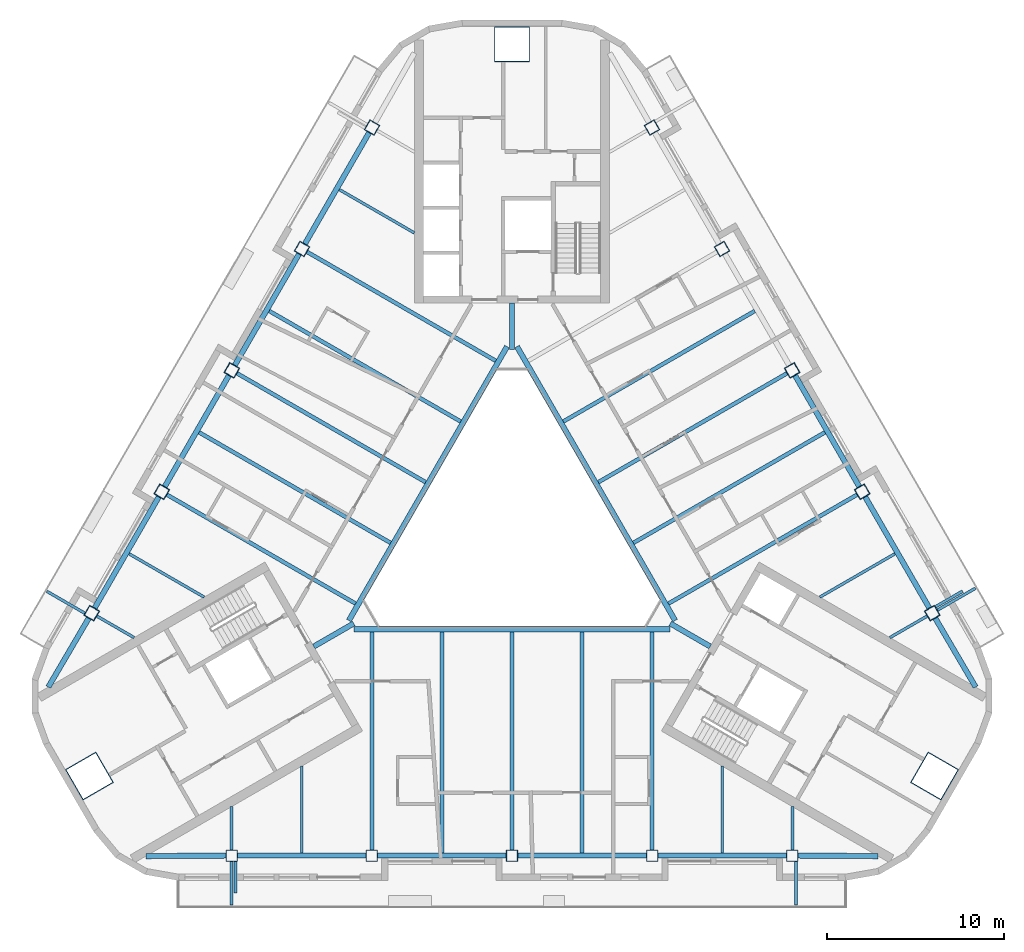
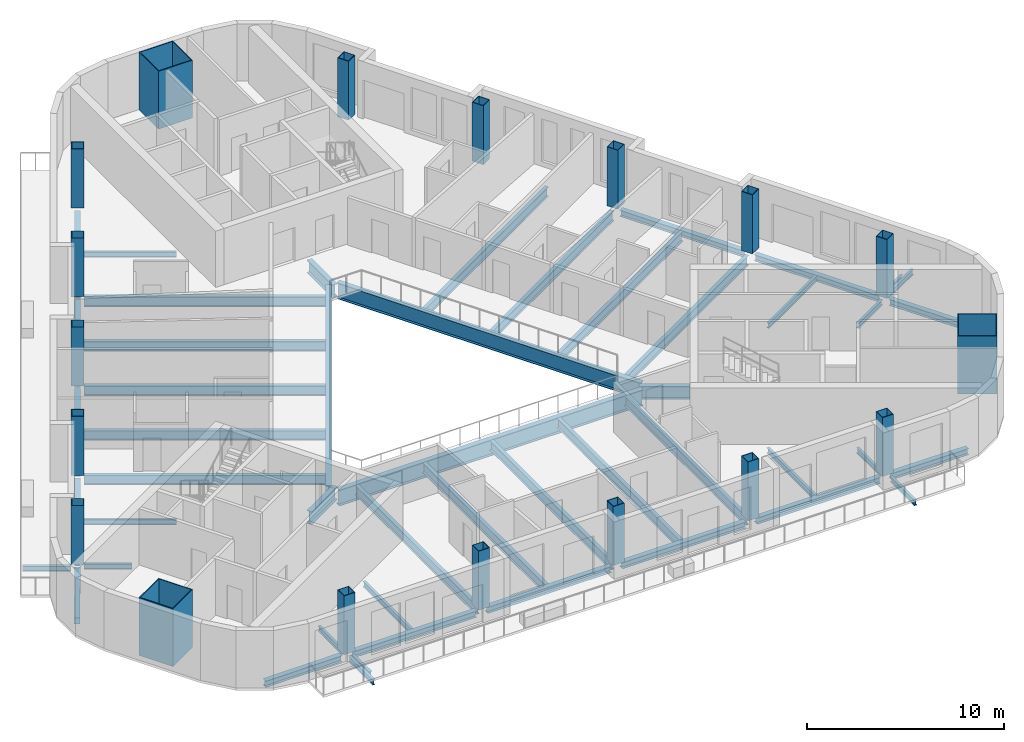
# One storey, part 1 of 14: 49 beams, 18 columns.
"""IFC4 building model written with IfcOpenShell, lengths in metres."""

from ifc_helpers import new_model, si_unit, direction, frame, origin, origin_2d, place, context, subcontext, project, spatial, rectangle, hollow_rectangle, i_section, extrude, boolean, halfspace, material, material_profile, profile_set, type_object, element, save


model = new_model("IFC4")

# Units and contexts
model_context = context("Model", 3, precision=1e-05, world=origin(), true_north=direction((0.0, 1.0)))
body_context = subcontext(model_context, "Body", "Model", "MODEL_VIEW")
ifc_project = project(units=[si_unit("LENGTHUNIT", "METRE"), si_unit("AREAUNIT", "SQUARE_METRE"), si_unit("VOLUMEUNIT", "CUBIC_METRE"), si_unit("PLANEANGLEUNIT", "RADIAN"), si_unit("MASSUNIT", "GRAM", prefix="KILO")], contexts=[model_context])

# Site, building, storey
site_placement = place(None, origin())
site = spatial("IfcSite", under=ifc_project, at=site_placement, CompositionType="ELEMENT")
building_placement = place(site_placement, origin())
building = spatial("IfcBuilding", under=site, at=building_placement, Name="Apuvela Tower Hotel", CompositionType="ELEMENT")
storey_placement = place(building_placement, frame((0.0, 0.0, 250.39990234375)))
storey = spatial("IfcBuildingStorey", under=building, at=storey_placement, Name="L61", CompositionType="ELEMENT", Elevation=250.39990234375)

# Columns
ifc_material_1 = material(Name="Steel S460", Category="steel")
ifc_material_profile_1 = material_profile(ifc_material_1, hollow_rectangle(XDim=2.0, YDim=2.0, WallThickness=0.050048828125, at=origin_2d()), Name="BOX 2000x2000x50")
ifc_material_2 = material(Name="Concrete C80/95", Category="concrete")
ifc_material_profile_2 = material_profile(ifc_material_2, rectangle(XDim=1.89990234375, YDim=1.89990234375, at=origin_2d()), Name="Concrete C80/95 infill")
ifc_profile_set_1 = profile_set([ifc_material_profile_1, ifc_material_profile_2], Name="Steel S460")
column_type_1 = type_object("IfcColumnType", Name="STR-MC mega column BOX 2000x2000x50", PredefinedType="COLUMN", material=ifc_profile_set_1)
for number, where, z_axis, x_axis, name in (
    (1, (0.0, 27.5, 0.0), (0.0, 0.0, 1.0), (1.0, 0.0, 0.0), "Mega column MC4 N"),
    (2, (-23.815673828125, -13.75, 0.0), (0.0, 0.0, 1.0), (-0.5, 0.866025403784, 0.0), "Mega column MC4 SW"),
    (3, (23.815673828125, -13.75, 0.0), (0.0, 0.0, 1.0), (0.5, 0.866025403784, 0.0), "Mega column MC4 SE"),
):
    element("IfcColumn", number, at=place(storey_placement, frame(where, z_axis=z_axis, x_axis=x_axis)), inside=storey, type_object=column_type_1, Name=name, PredefinedType="COLUMN", context=body_context, shape_type="SweptSolid", body=[
        boolean("DIFFERENCE", extrude(hollow_rectangle(XDim=2.0, YDim=2.0, WallThickness=0.050048828125, at=origin_2d()), origin(), (0.0, 0.0, 1.0), 3.7001953125), halfspace(frame((0.0, 0.0, 3.588134765625), z_axis=(0.0, 0.0, 1.0), x_axis=(1.0, 0.0, 0.0)), False)),
    ])
ifc_material_profile_3 = material_profile(ifc_material_1, hollow_rectangle(XDim=0.64990234375, YDim=0.64990234375, WallThickness=0.030029296875, at=origin_2d()), Name="BOX 650x650x30")
ifc_material_profile_4 = material_profile(ifc_material_2, rectangle(XDim=0.590087890625, YDim=0.590087890625, at=origin_2d()), Name="Concrete C80/95 infill")
ifc_profile_set_2 = profile_set([ifc_material_profile_3, ifc_material_profile_4], Name="Steel S460")
column_type_2 = type_object("IfcColumnType", Name="STR-PC perimeter column BOX 650x650x30", PredefinedType="COLUMN", material=ifc_profile_set_2)
column_1_placement = place(storey_placement, frame((-15.800048828125, -18.22998046875, 0.0), z_axis=(0.0, 0.0, 1.0), x_axis=(-1.0, 0.0, 0.0)))
element("IfcColumn", 4, at=column_1_placement, inside=storey, type_object=column_type_2, Name="Perimeter column C6 S1", PredefinedType="COLUMN", context=body_context, shape_type="SweptSolid", body=[
    boolean("DIFFERENCE", extrude(hollow_rectangle(XDim=0.64990234375, YDim=0.64990234375, WallThickness=0.030029296875, at=origin_2d()), origin(), (0.0, 0.0, 1.0), 3.7001953125), halfspace(frame((0.0, 0.0, 3.6533203125), z_axis=(0.0, 0.0, 1.0), x_axis=(1.0, 0.0, 0.0)), False)),
])
column_2_placement = place(storey_placement, frame((-7.89990234375, -18.22998046875, 0.0), z_axis=(0.0, 0.0, 1.0), x_axis=(-1.0, 0.0, 0.0)))
element("IfcColumn", 5, at=column_2_placement, inside=storey, type_object=column_type_2, Name="Perimeter column C6 S2", PredefinedType="COLUMN", context=body_context, shape_type="SweptSolid", body=[
    boolean("DIFFERENCE", extrude(hollow_rectangle(XDim=0.64990234375, YDim=0.64990234375, WallThickness=0.030029296875, at=origin_2d()), origin(), (0.0, 0.0, 1.0), 3.7001953125), halfspace(frame((0.0, 0.0, 3.660400390625), z_axis=(0.0, 0.0, 1.0), x_axis=(1.0, 0.0, 0.0)), False)),
])
column_3_placement = place(storey_placement, frame((0.0, -18.22998046875, 0.0), z_axis=(0.0, 0.0, 1.0), x_axis=(-1.0, 0.0, 0.0)))
element("IfcColumn", 6, at=column_3_placement, inside=storey, type_object=column_type_2, Name="Perimeter column C6 S3", PredefinedType="COLUMN", context=body_context, shape_type="SweptSolid", body=[
    boolean("DIFFERENCE", extrude(hollow_rectangle(XDim=0.64990234375, YDim=0.64990234375, WallThickness=0.030029296875, at=origin_2d()), origin(), (0.0, 0.0, 1.0), 3.7001953125), halfspace(frame((0.0, 0.0, 3.6630859375), z_axis=(0.0, 0.0, 1.0), x_axis=(1.0, 0.0, 0.0)), False)),
])
column_4_placement = place(storey_placement, frame((7.89990234375, -18.22998046875, 0.0), z_axis=(0.0, 0.0, 1.0), x_axis=(-1.0, 0.0, 0.0)))
element("IfcColumn", 7, at=column_4_placement, inside=storey, type_object=column_type_2, Name="Perimeter column C6 S4", PredefinedType="COLUMN", context=body_context, shape_type="SweptSolid", body=[
    boolean("DIFFERENCE", extrude(hollow_rectangle(XDim=0.64990234375, YDim=0.64990234375, WallThickness=0.030029296875, at=origin_2d()), origin(), (0.0, 0.0, 1.0), 3.7001953125), halfspace(frame((0.0, 0.0, 3.660400390625), z_axis=(0.0, 0.0, 1.0), x_axis=(1.0, 0.0, 0.0)), False)),
])
for number, where, z_axis, x_axis, name in (
    (8, (15.800048828125, -18.22998046875, 0.0), (0.0, 0.0, 1.0), (-1.0, 0.0, 0.0), "Perimeter column C6 S5"),
    (9, (23.6875, -4.568115234375, 0.0), (0.0, 0.0, 1.0), (-0.5, 0.866025403784, 0.0), "Perimeter column C6 NE1"),
):
    element("IfcColumn", number, at=place(storey_placement, frame(where, z_axis=z_axis, x_axis=x_axis)), inside=storey, type_object=column_type_2, Name=name, PredefinedType="COLUMN", context=body_context, shape_type="SweptSolid", body=[
        boolean("DIFFERENCE", extrude(hollow_rectangle(XDim=0.64990234375, YDim=0.64990234375, WallThickness=0.030029296875, at=origin_2d()), origin(), (0.0, 0.0, 1.0), 3.7001953125), halfspace(frame((0.0, 0.0, 3.6533203125), z_axis=(0.0, 0.0, 1.0), x_axis=(1.0, 0.0, 0.0)), False)),
    ])
column_5_placement = place(storey_placement, frame((19.737548828125, 2.2734375, 0.0), z_axis=(0.0, 0.0, 1.0), x_axis=(-0.5, 0.866025403784, 0.0)))
element("IfcColumn", 10, at=column_5_placement, inside=storey, type_object=column_type_2, Name="Perimeter column C6 NE2", PredefinedType="COLUMN", context=body_context, shape_type="SweptSolid", body=[
    boolean("DIFFERENCE", extrude(hollow_rectangle(XDim=0.64990234375, YDim=0.64990234375, WallThickness=0.030029296875, at=origin_2d()), origin(), (0.0, 0.0, 1.0), 3.7001953125), halfspace(frame((0.0, 0.0, 3.660400390625), z_axis=(0.0, 0.0, 1.0), x_axis=(1.0, 0.0, 0.0)), False)),
])
column_6_placement = place(storey_placement, frame((15.78759765625, 9.114990234375, 0.0), z_axis=(0.0, 0.0, 1.0), x_axis=(-0.5, 0.866025403784, 0.0)))
element("IfcColumn", 11, at=column_6_placement, inside=storey, type_object=column_type_2, Name="Perimeter column C6 NE3", PredefinedType="COLUMN", context=body_context, shape_type="SweptSolid", body=[
    boolean("DIFFERENCE", extrude(hollow_rectangle(XDim=0.64990234375, YDim=0.64990234375, WallThickness=0.030029296875, at=origin_2d()), origin(), (0.0, 0.0, 1.0), 3.7001953125), halfspace(frame((0.0, 0.0, 3.6630859375), z_axis=(0.0, 0.0, 1.0), x_axis=(1.0, 0.0, 0.0)), False)),
])
column_7_placement = place(storey_placement, frame((11.837646484375, 15.95654296875, 0.0), z_axis=(0.0, 0.0, 1.0), x_axis=(-0.5, 0.866025403784, 0.0)))
element("IfcColumn", 12, at=column_7_placement, inside=storey, type_object=column_type_2, Name="Perimeter column C6 NE4", PredefinedType="COLUMN", context=body_context, shape_type="SweptSolid", body=[
    boolean("DIFFERENCE", extrude(hollow_rectangle(XDim=0.64990234375, YDim=0.64990234375, WallThickness=0.030029296875, at=origin_2d()), origin(), (0.0, 0.0, 1.0), 3.7001953125), halfspace(frame((0.0, 0.0, 3.660400390625), z_axis=(0.0, 0.0, 1.0), x_axis=(1.0, 0.0, 0.0)), False)),
])
for number, where, z_axis, x_axis, name in (
    (13, (7.8876953125, 22.798095703125, 0.0), (0.0, 0.0, 1.0), (-0.5, 0.866025403784, 0.0), "Perimeter column C6 NE5"),
    (14, (-7.8876953125, 22.798095703125, 0.0), (0.0, 0.0, 1.0), (0.5, 0.866025403784, 0.0), "Perimeter column C6 NW1"),
):
    element("IfcColumn", number, at=place(storey_placement, frame(where, z_axis=z_axis, x_axis=x_axis)), inside=storey, type_object=column_type_2, Name=name, PredefinedType="COLUMN", context=body_context, shape_type="SweptSolid", body=[
        boolean("DIFFERENCE", extrude(hollow_rectangle(XDim=0.64990234375, YDim=0.64990234375, WallThickness=0.030029296875, at=origin_2d()), origin(), (0.0, 0.0, 1.0), 3.7001953125), halfspace(frame((0.0, 0.0, 3.6533203125), z_axis=(0.0, 0.0, 1.0), x_axis=(1.0, 0.0, 0.0)), False)),
    ])
column_8_placement = place(storey_placement, frame((-11.837646484375, 15.95654296875, 0.0), z_axis=(0.0, 0.0, 1.0), x_axis=(0.5, 0.866025403784, 0.0)))
element("IfcColumn", 15, at=column_8_placement, inside=storey, type_object=column_type_2, Name="Perimeter column C6 NW2", PredefinedType="COLUMN", context=body_context, shape_type="SweptSolid", body=[
    boolean("DIFFERENCE", extrude(hollow_rectangle(XDim=0.64990234375, YDim=0.64990234375, WallThickness=0.030029296875, at=origin_2d()), origin(), (0.0, 0.0, 1.0), 3.7001953125), halfspace(frame((0.0, 0.0, 3.660400390625), z_axis=(0.0, 0.0, 1.0), x_axis=(1.0, 0.0, 0.0)), False)),
])
column_9_placement = place(storey_placement, frame((-15.78759765625, 9.114990234375, 0.0), z_axis=(0.0, 0.0, 1.0), x_axis=(0.5, 0.866025403784, 0.0)))
element("IfcColumn", 16, at=column_9_placement, inside=storey, type_object=column_type_2, Name="Perimeter column C6 NW3", PredefinedType="COLUMN", context=body_context, shape_type="SweptSolid", body=[
    boolean("DIFFERENCE", extrude(hollow_rectangle(XDim=0.64990234375, YDim=0.64990234375, WallThickness=0.030029296875, at=origin_2d()), origin(), (0.0, 0.0, 1.0), 3.7001953125), halfspace(frame((0.0, 0.0, 3.6630859375), z_axis=(0.0, 0.0, 1.0), x_axis=(1.0, 0.0, 0.0)), False)),
])
column_10_placement = place(storey_placement, frame((-19.737548828125, 2.2734375, 0.0), z_axis=(0.0, 0.0, 1.0), x_axis=(0.5, 0.866025403784, 0.0)))
element("IfcColumn", 17, at=column_10_placement, inside=storey, type_object=column_type_2, Name="Perimeter column C6 NW4", PredefinedType="COLUMN", context=body_context, shape_type="SweptSolid", body=[
    boolean("DIFFERENCE", extrude(hollow_rectangle(XDim=0.64990234375, YDim=0.64990234375, WallThickness=0.030029296875, at=origin_2d()), origin(), (0.0, 0.0, 1.0), 3.7001953125), halfspace(frame((0.0, 0.0, 3.660400390625), z_axis=(0.0, 0.0, 1.0), x_axis=(1.0, 0.0, 0.0)), False)),
])
column_11_placement = place(storey_placement, frame((-23.6875, -4.568115234375, 0.0), z_axis=(0.0, 0.0, 1.0), x_axis=(0.5, 0.866025403784, 0.0)))
element("IfcColumn", 18, at=column_11_placement, inside=storey, type_object=column_type_2, Name="Perimeter column C6 NW5", PredefinedType="COLUMN", context=body_context, shape_type="SweptSolid", body=[
    boolean("DIFFERENCE", extrude(hollow_rectangle(XDim=0.64990234375, YDim=0.64990234375, WallThickness=0.030029296875, at=origin_2d()), origin(), (0.0, 0.0, 1.0), 3.7001953125), halfspace(frame((0.0, 0.0, 3.6533203125), z_axis=(0.0, 0.0, 1.0), x_axis=(1.0, 0.0, 0.0)), False)),
])

# Beams
ifc_material_3 = material(Name="Steel S355", Category="steel")
ifc_material_profile_5 = material_profile(ifc_material_3, i_section(OverallWidth=0.159912109375, OverallDepth=0.330078125, WebThickness=0.007568359375, FlangeThickness=0.011474609375, at=origin_2d()), Name="IPE 330")
ifc_profile_set_3 = profile_set([ifc_material_profile_5], Name="Steel S355")
beam_type_1 = type_object("IfcBeamType", Name="ENV-BALCONY-BEAM-IPE330", PredefinedType="BEAM", material=ifc_profile_set_3)
beam_1_placement = place(storey_placement, frame((-15.800048828125, -18.554931640625, -0.31494140625), z_axis=(0.0, -1.0, 0.0), x_axis=(1.0, 0.0, 0.0)))
element("IfcBeam", 19, at=beam_1_placement, inside=storey, type_object=beam_type_1, Name="Balcony cantilever beam S1 L61", PredefinedType="BEAM", context=body_context, shape_type="SweptSolid", body=[
    extrude(i_section(OverallWidth=0.159912109375, OverallDepth=0.330078125, WebThickness=0.007568359375, FlangeThickness=0.011474609375, at=origin_2d()), origin(), (0.0, 0.0, 1.0), 2.47509765625),
])
beam_2_placement = place(storey_placement, frame((-15.580078125, -18.554931640625, -0.31494140625), z_axis=(0.0, -1.0, 0.0), x_axis=(1.0, 0.0, 0.0)))
element("IfcBeam", 20, at=beam_2_placement, inside=storey, type_object=beam_type_1, Name="Balcony cantilever beam S2 L61", PredefinedType="BEAM", context=body_context, shape_type="SweptSolid", body=[
    extrude(i_section(OverallWidth=0.159912109375, OverallDepth=0.330078125, WebThickness=0.007568359375, FlangeThickness=0.011474609375, at=origin_2d()), origin(), (0.0, 0.0, 1.0), 1.775146484375),
])
for number, where, z_axis, x_axis, name in (
    (21, (16.0, -18.554931640625, -0.31494140625), (0.0, -1.0, 0.0), (1.0, 0.0, 0.0), "Balcony cantilever beam S3 L61"),
    (22, (23.968994140625, -4.40576171875, -0.31494140625), (0.866031185235, 0.4999899861, 0.0), (-0.4999899861, 0.866031185235, 0.0), "Balcony cantilever beam NE1 L61"),
):
    element("IfcBeam", number, at=place(storey_placement, frame(where, z_axis=z_axis, x_axis=x_axis)), inside=storey, type_object=beam_type_1, Name=name, PredefinedType="BEAM", context=body_context, shape_type="SweptSolid", body=[
        extrude(i_section(OverallWidth=0.159912109375, OverallDepth=0.330078125, WebThickness=0.007568359375, FlangeThickness=0.011474609375, at=origin_2d()), origin(), (0.0, 0.0, 1.0), 2.47509765625),
    ])
beam_3_placement = place(storey_placement, frame((23.859130859375, -4.215087890625, -0.31494140625), z_axis=(0.866025242659, 0.500000279077, 0.0), x_axis=(-0.500000279077, 0.866025242659, 0.0)))
element("IfcBeam", 23, at=beam_3_placement, inside=storey, type_object=beam_type_1, Name="Balcony cantilever beam NE2 L61", PredefinedType="BEAM", context=body_context, shape_type="SweptSolid", body=[
    extrude(i_section(OverallWidth=0.159912109375, OverallDepth=0.330078125, WebThickness=0.007568359375, FlangeThickness=0.011474609375, at=origin_2d()), origin(), (0.0, 0.0, 1.0), 1.77490234375),
])
beam_4_placement = place(storey_placement, frame((-24.069091796875, -4.578857421875, -0.31494140625), z_axis=(-0.866006523861, 0.500032699561, 0.0), x_axis=(-0.500032699561, -0.866006523861, 0.0)))
element("IfcBeam", 24, at=beam_4_placement, inside=storey, type_object=beam_type_1, Name="Balcony cantilever beam NW3 L61", PredefinedType="BEAM", context=body_context, shape_type="SweptSolid", body=[
    extrude(i_section(OverallWidth=0.159912109375, OverallDepth=0.330078125, WebThickness=0.007568359375, FlangeThickness=0.011474609375, at=origin_2d()), origin(), (0.0, 0.0, 1.0), 2.474853515625),
])
ifc_material_profile_6 = material_profile(ifc_material_3, i_section(OverallWidth=0.159912109375, OverallDepth=0.330078125, WebThickness=0.007568359375, FlangeThickness=0.011474609375, at=origin_2d()), Name="IPE 330")
ifc_profile_set_4 = profile_set([ifc_material_profile_6], Name="Steel S355")
beam_type_2 = type_object("IfcBeamType", Name="STR-B floor beam IPE 330", PredefinedType="BEAM", material=ifc_profile_set_4)
beam_5_placement = place(storey_placement, frame((23.40625, -4.730712890625, -0.31494140625), z_axis=(-0.866016743675, -0.500014999449, 0.0), x_axis=(0.500014999449, -0.866016743675, 0.0)))
element("IfcBeam", 25, at=beam_5_placement, inside=storey, type_object=beam_type_2, Name="Floor beam B1 NE1", PredefinedType="BEAM", context=body_context, shape_type="SweptSolid", body=[
    extrude(i_section(OverallWidth=0.159912109375, OverallDepth=0.330078125, WebThickness=0.007568359375, FlangeThickness=0.011474609375, at=origin_2d()), origin(), (0.0, 0.0, 1.0), 2.43212890625),
])
for number, where, z_axis, x_axis, name in (
    (26, (21.582763671875, -1.222412109375, -0.31494140625), (-0.866015056278, -0.500017921979, 0.0), (0.500017921979, -0.866015056278, 0.0), "Floor beam B1 NE2"),
    (27, (-9.732666015625, 19.302490234375, -0.31494140625), (0.866015056278, -0.500017921979, 0.0), (0.500017921979, 0.866015056278, 0.0), "Floor beam B1 NW2"),
    (28, (-21.582763671875, -1.222412109375, -0.31494140625), (0.866015056278, -0.500017921979, 0.0), (0.500017921979, 0.866015056278, 0.0), "Floor beam B1 NW8"),
):
    element("IfcBeam", number, at=place(storey_placement, frame(where, z_axis=z_axis, x_axis=x_axis)), inside=storey, type_object=beam_type_2, Name=name, PredefinedType="BEAM", context=body_context, shape_type="SweptSolid", body=[
        extrude(i_section(OverallWidth=0.159912109375, OverallDepth=0.330078125, WebThickness=0.007568359375, FlangeThickness=0.011474609375, at=origin_2d()), origin(), (0.0, 0.0, 1.0), 4.887451171875),
    ])
for number, where, z_axis, x_axis, name in (
    (29, (-23.40625, -4.730712890625, -0.31494140625), (0.866016743675, -0.500014999449, 0.0), (0.500014999449, 0.866016743675, 0.0), "Floor beam B1 NW9"),
    (30, (-15.800048828125, -17.905029296875, -0.31494140625), (0.0, 1.0, 0.0), (-1.0, 0.0, 0.0), "Floor beam B1 S1"),
):
    element("IfcBeam", number, at=place(storey_placement, frame(where, z_axis=z_axis, x_axis=x_axis)), inside=storey, type_object=beam_type_2, Name=name, PredefinedType="BEAM", context=body_context, shape_type="SweptSolid", body=[
        extrude(i_section(OverallWidth=0.159912109375, OverallDepth=0.330078125, WebThickness=0.007568359375, FlangeThickness=0.011474609375, at=origin_2d()), origin(), (0.0, 0.0, 1.0), 2.43212890625),
    ])
for number, where, z_axis, x_axis, name in (
    (31, (-11.85009765625, -18.080078125, -0.31494140625), (0.0, 1.0, 0.0), (-1.0, 0.0, 0.0), "Floor beam B1 S2"),
    (32, (11.85009765625, -18.080078125, -0.31494140625), (0.0, 1.0, 0.0), (-1.0, 0.0, 0.0), "Floor beam B1 S8"),
):
    element("IfcBeam", number, at=place(storey_placement, frame(where, z_axis=z_axis, x_axis=x_axis)), inside=storey, type_object=beam_type_2, Name=name, PredefinedType="BEAM", context=body_context, shape_type="SweptSolid", body=[
        extrude(i_section(OverallWidth=0.159912109375, OverallDepth=0.330078125, WebThickness=0.007568359375, FlangeThickness=0.011474609375, at=origin_2d()), origin(), (0.0, 0.0, 1.0), 4.8876953125),
    ])
beam_6_placement = place(storey_placement, frame((15.800048828125, -17.905029296875, -0.31494140625), z_axis=(0.0, 1.0, 0.0), x_axis=(-1.0, 0.0, 0.0)))
element("IfcBeam", 33, at=beam_6_placement, inside=storey, type_object=beam_type_2, Name="Floor beam B1 S9", PredefinedType="BEAM", context=body_context, shape_type="SweptSolid", body=[
    extrude(i_section(OverallWidth=0.159912109375, OverallDepth=0.330078125, WebThickness=0.007568359375, FlangeThickness=0.011474609375, at=origin_2d()), origin(), (0.0, 0.0, 1.0), 2.43212890625),
])
ifc_material_profile_7 = material_profile(ifc_material_3, i_section(OverallWidth=0.219970703125, OverallDepth=0.60009765625, WebThickness=0.011962890625, FlangeThickness=0.01904296875, at=origin_2d()), Name="IPE 600")
ifc_profile_set_5 = profile_set([ifc_material_profile_7], Name="Steel S355")
beam_type_3 = type_object("IfcBeamType", Name="STR-B floor beam IPE 600", PredefinedType="BEAM", material=ifc_profile_set_5)
beam_7_placement = place(storey_placement, frame((19.456298828125, 2.11083984375, -0.449951171875), z_axis=(-0.866032030074, -0.499988522755, 0.0), x_axis=(0.499988522755, -0.866032030074, 0.0)))
element("IfcBeam", 34, at=beam_7_placement, inside=storey, type_object=beam_type_3, Name="Floor beam B8 NE3", PredefinedType="BEAM", context=body_context, shape_type="SweptSolid", body=[
    extrude(i_section(OverallWidth=0.219970703125, OverallDepth=0.60009765625, WebThickness=0.011962890625, FlangeThickness=0.01904296875, at=origin_2d()), origin(), (0.0, 0.0, 1.0), 12.284912109375),
])
beam_8_placement = place(storey_placement, frame((17.6328125, 5.619140625, -0.449951171875), z_axis=(-0.866027987673, -0.499995524547, 0.0), x_axis=(0.499995524547, -0.866027987673, 0.0)))
element("IfcBeam", 35, at=beam_8_placement, inside=storey, type_object=beam_type_3, Name="Floor beam B8 NE4", PredefinedType="BEAM", context=body_context, shape_type="SweptSolid", body=[
    extrude(i_section(OverallWidth=0.219970703125, OverallDepth=0.60009765625, WebThickness=0.011962890625, FlangeThickness=0.01904296875, at=origin_2d()), origin(), (0.0, 0.0, 1.0), 12.4599609375),
])
beam_9_placement = place(storey_placement, frame((15.506103515625, 8.952392578125, -0.449951171875), z_axis=(-0.866027061886, -0.499997128072, 0.0), x_axis=(0.499997128072, -0.866027061886, 0.0)))
element("IfcBeam", 36, at=beam_9_placement, inside=storey, type_object=beam_type_3, Name="Floor beam B8 NE5", PredefinedType="BEAM", context=body_context, shape_type="SweptSolid", body=[
    extrude(i_section(OverallWidth=0.219970703125, OverallDepth=0.60009765625, WebThickness=0.011962890625, FlangeThickness=0.01904296875, at=origin_2d()), origin(), (0.0, 0.0, 1.0), 12.28466796875),
])
beam_10_placement = place(storey_placement, frame((13.6826171875, 12.460693359375, -0.449951171875), z_axis=(-0.866023089177, -0.500004008996, 0.0), x_axis=(0.500004008996, -0.866023089177, 0.0)))
element("IfcBeam", 37, at=beam_10_placement, inside=storey, type_object=beam_type_3, Name="Floor beam B8 NE6", PredefinedType="BEAM", context=body_context, shape_type="SweptSolid", body=[
    extrude(i_section(OverallWidth=0.219970703125, OverallDepth=0.60009765625, WebThickness=0.011962890625, FlangeThickness=0.01904296875, at=origin_2d()), origin(), (0.0, 0.0, 1.0), 12.4599609375),
])
beam_11_placement = place(storey_placement, frame((-11.55615234375, 15.794189453125, -0.449951171875), z_axis=(0.866023424837, -0.500003427622, 0.0), x_axis=(0.500003427622, 0.866023424837, 0.0)))
element("IfcBeam", 38, at=beam_11_placement, inside=storey, type_object=beam_type_3, Name="Floor beam B8 NW3", PredefinedType="BEAM", context=body_context, shape_type="SweptSolid", body=[
    extrude(i_section(OverallWidth=0.219970703125, OverallDepth=0.60009765625, WebThickness=0.011962890625, FlangeThickness=0.01904296875, at=origin_2d()), origin(), (0.0, 0.0, 1.0), 12.28515625),
])
beam_12_placement = place(storey_placement, frame((-13.6826171875, 12.460693359375, -0.449951171875), z_axis=(0.866023089177, -0.500004008996, 0.0), x_axis=(0.500004008996, 0.866023089177, 0.0)))
element("IfcBeam", 39, at=beam_12_placement, inside=storey, type_object=beam_type_3, Name="Floor beam B8 NW4", PredefinedType="BEAM", context=body_context, shape_type="SweptSolid", body=[
    extrude(i_section(OverallWidth=0.219970703125, OverallDepth=0.60009765625, WebThickness=0.011962890625, FlangeThickness=0.01904296875, at=origin_2d()), origin(), (0.0, 0.0, 1.0), 12.4599609375),
])
beam_13_placement = place(storey_placement, frame((-15.506103515625, 8.952392578125, -0.449951171875), z_axis=(0.866027061886, -0.499997128072, 0.0), x_axis=(0.499997128072, 0.866027061886, 0.0)))
element("IfcBeam", 40, at=beam_13_placement, inside=storey, type_object=beam_type_3, Name="Floor beam B8 NW5", PredefinedType="BEAM", context=body_context, shape_type="SweptSolid", body=[
    extrude(i_section(OverallWidth=0.219970703125, OverallDepth=0.60009765625, WebThickness=0.011962890625, FlangeThickness=0.01904296875, at=origin_2d()), origin(), (0.0, 0.0, 1.0), 12.28466796875),
])
beam_14_placement = place(storey_placement, frame((-17.6328125, 5.619140625, -0.449951171875), z_axis=(0.866027987673, -0.499995524547, 0.0), x_axis=(0.499995524547, 0.866027987673, 0.0)))
element("IfcBeam", 41, at=beam_14_placement, inside=storey, type_object=beam_type_3, Name="Floor beam B8 NW6", PredefinedType="BEAM", context=body_context, shape_type="SweptSolid", body=[
    extrude(i_section(OverallWidth=0.219970703125, OverallDepth=0.60009765625, WebThickness=0.011962890625, FlangeThickness=0.01904296875, at=origin_2d()), origin(), (0.0, 0.0, 1.0), 12.4599609375),
])
for number, where, z_axis, x_axis, name in (
    (42, (-19.456298828125, 2.11083984375, -0.449951171875), (0.866032030074, -0.499988522755, 0.0), (0.499988522755, 0.866032030074, 0.0), "Floor beam B8 NW7"),
    (43, (-7.89990234375, -17.905029296875, -0.449951171875), (0.0, 1.0, 0.0), (-1.0, 0.0, 0.0), "Floor beam B8 S3"),
):
    element("IfcBeam", number, at=place(storey_placement, frame(where, z_axis=z_axis, x_axis=x_axis)), inside=storey, type_object=beam_type_3, Name=name, PredefinedType="BEAM", context=body_context, shape_type="SweptSolid", body=[
        extrude(i_section(OverallWidth=0.219970703125, OverallDepth=0.60009765625, WebThickness=0.011962890625, FlangeThickness=0.01904296875, at=origin_2d()), origin(), (0.0, 0.0, 1.0), 12.284912109375),
    ])
beam_15_placement = place(storey_placement, frame((-3.949951171875, -18.080078125, -0.449951171875), z_axis=(0.0, 1.0, 0.0), x_axis=(-1.0, 0.0, 0.0)))
element("IfcBeam", 44, at=beam_15_placement, inside=storey, type_object=beam_type_3, Name="Floor beam B8 S4", PredefinedType="BEAM", context=body_context, shape_type="SweptSolid", body=[
    extrude(i_section(OverallWidth=0.219970703125, OverallDepth=0.60009765625, WebThickness=0.011962890625, FlangeThickness=0.01904296875, at=origin_2d()), origin(), (0.0, 0.0, 1.0), 12.4599609375),
])
beam_16_placement = place(storey_placement, frame((0.0, -17.905029296875, -0.449951171875), z_axis=(0.0, 1.0, 0.0), x_axis=(-1.0, 0.0, 0.0)))
element("IfcBeam", 45, at=beam_16_placement, inside=storey, type_object=beam_type_3, Name="Floor beam B8 S5", PredefinedType="BEAM", context=body_context, shape_type="SweptSolid", body=[
    extrude(i_section(OverallWidth=0.219970703125, OverallDepth=0.60009765625, WebThickness=0.011962890625, FlangeThickness=0.01904296875, at=origin_2d()), origin(), (0.0, 0.0, 1.0), 12.284912109375),
])
beam_17_placement = place(storey_placement, frame((3.949951171875, -18.080078125, -0.449951171875), z_axis=(0.0, 1.0, 0.0), x_axis=(-1.0, 0.0, 0.0)))
element("IfcBeam", 46, at=beam_17_placement, inside=storey, type_object=beam_type_3, Name="Floor beam B8 S6", PredefinedType="BEAM", context=body_context, shape_type="SweptSolid", body=[
    extrude(i_section(OverallWidth=0.219970703125, OverallDepth=0.60009765625, WebThickness=0.011962890625, FlangeThickness=0.01904296875, at=origin_2d()), origin(), (0.0, 0.0, 1.0), 12.4599609375),
])
beam_18_placement = place(storey_placement, frame((7.89990234375, -17.905029296875, -0.449951171875), z_axis=(0.0, 1.0, 0.0), x_axis=(-1.0, 0.0, 0.0)))
element("IfcBeam", 47, at=beam_18_placement, inside=storey, type_object=beam_type_3, Name="Floor beam B8 S7", PredefinedType="BEAM", context=body_context, shape_type="SweptSolid", body=[
    extrude(i_section(OverallWidth=0.219970703125, OverallDepth=0.60009765625, WebThickness=0.011962890625, FlangeThickness=0.01904296875, at=origin_2d()), origin(), (0.0, 0.0, 1.0), 12.284912109375),
])
ifc_material_profile_8 = material_profile(ifc_material_3, i_section(OverallWidth=0.300048828125, OverallDepth=0.989990234375, WebThickness=0.0166015625, FlangeThickness=0.031005859375, at=origin_2d()), Name="HE 1000 A")
ifc_profile_set_6 = profile_set([ifc_material_profile_8], Name="Steel S355")
beam_type_4 = type_object("IfcBeamType", Name="STR-G atrium ring girder HE 1000 A", PredefinedType="BEAM", material=ifc_profile_set_6)
beam_19_placement = place(storey_placement, frame((-0.27978515625, 10.455078125, -0.64501953125), z_axis=(-0.500006541319, -0.866021627119, 0.0), x_axis=(0.866021627119, -0.500006541319, 0.0)))
element("IfcBeam", 48, at=beam_19_placement, inside=storey, type_object=beam_type_4, Name="Atrium ring girder G3 N-SW", PredefinedType="BEAM", context=body_context, shape_type="SweptSolid", body=[
    extrude(i_section(OverallWidth=0.300048828125, OverallDepth=0.989990234375, WebThickness=0.0166015625, FlangeThickness=0.031005859375, at=origin_2d()), origin(), (0.0, 0.0, 1.0), 17.828857421875),
])
beam_20_placement = place(storey_placement, frame((-8.91455078125, -5.469970703125, -0.64501953125), z_axis=(1.0, 0.0, 0.0), x_axis=(0.0, 1.0, 0.0)))
element("IfcBeam", 49, at=beam_20_placement, inside=storey, type_object=beam_type_4, Name="Atrium ring girder G3 SW-SE", PredefinedType="BEAM", context=body_context, shape_type="SweptSolid", body=[
    extrude(i_section(OverallWidth=0.300048828125, OverallDepth=0.989990234375, WebThickness=0.0166015625, FlangeThickness=0.031005859375, at=origin_2d()), origin(), (0.0, 0.0, 1.0), 17.8291015625),
])
beam_21_placement = place(storey_placement, frame((9.1943359375, -4.985107421875, -0.64501953125), z_axis=(-0.500006541319, 0.866021627119, 0.0), x_axis=(-0.866021627119, -0.500006541319, 0.0)))
element("IfcBeam", 50, at=beam_21_placement, inside=storey, type_object=beam_type_4, Name="Atrium ring girder G3 SE-N", PredefinedType="BEAM", context=body_context, shape_type="SweptSolid", body=[
    extrude(i_section(OverallWidth=0.300048828125, OverallDepth=0.989990234375, WebThickness=0.0166015625, FlangeThickness=0.031005859375, at=origin_2d()), origin(), (0.0, 0.0, 1.0), 17.828857421875),
])
ifc_material_profile_9 = material_profile(ifc_material_3, i_section(OverallWidth=0.300048828125, OverallDepth=0.800048828125, WebThickness=0.017578125, FlangeThickness=0.032958984375, at=origin_2d()), Name="HE 800 B")
ifc_profile_set_7 = profile_set([ifc_material_profile_9], Name="Steel S355")
beam_type_5 = type_object("IfcBeamType", Name="STR-GT core tie beam HE 800 B", PredefinedType="BEAM", material=ifc_profile_set_7)
for number, where, z_axis, x_axis, name in (
    (51, (0.0, 12.89990234375, -0.5498046875), (0.0, -1.0, 0.0), (1.0, 0.0, 0.0), "Core tie beam GT1 N"),
    (52, (-11.171630859375, -6.449951171875, -0.5498046875), (0.865997922154, 0.500047596559, 0.0), (-0.500047596559, 0.865997922154, 0.0), "Core tie beam GT1 SW"),
    (53, (11.171630859375, -6.449951171875, -0.5498046875), (-0.865997922154, 0.500047596559, 0.0), (-0.500047596559, -0.865997922154, 0.0), "Core tie beam GT1 SE"),
):
    element("IfcBeam", number, at=place(storey_placement, frame(where, z_axis=z_axis, x_axis=x_axis)), inside=storey, type_object=beam_type_5, Name=name, PredefinedType="BEAM", context=body_context, shape_type="SweptSolid", body=[
        extrude(i_section(OverallWidth=0.300048828125, OverallDepth=0.800048828125, WebThickness=0.017578125, FlangeThickness=0.032958984375, at=origin_2d()), origin(), (0.0, 0.0, 1.0), 2.599853515625),
    ])
ifc_material_profile_10 = material_profile(ifc_material_3, i_section(OverallWidth=0.300048828125, OverallDepth=0.389892578125, WebThickness=0.010986328125, FlangeThickness=0.01904296875, at=origin_2d()), Name="HE 400 A")
ifc_profile_set_8 = profile_set([ifc_material_profile_10], Name="Steel S355")
beam_type_6 = type_object("IfcBeamType", Name="STR-SB spandrel beam HE 400 A", PredefinedType="SPANDREL", material=ifc_profile_set_8)
for number, where, z_axis, x_axis, name in (
    (54, (-15.47509765625, -18.22998046875, -0.344970703125), (1.0, 0.0, 0.0), (0.0, 1.0, 0.0), "Spandrel beam SB4 S1"),
    (55, (-7.574951171875, -18.22998046875, -0.344970703125), (1.0, 0.0, 0.0), (0.0, 1.0, 0.0), "Spandrel beam SB4 S2"),
    (56, (0.324951171875, -18.22998046875, -0.344970703125), (1.0, 0.0, 0.0), (0.0, 1.0, 0.0), "Spandrel beam SB4 S3"),
    (57, (8.22509765625, -18.22998046875, -0.344970703125), (1.0, 0.0, 0.0), (0.0, 1.0, 0.0), "Spandrel beam SB4 S4"),
    (58, (23.525146484375, -4.28662109375, -0.344970703125), (-0.500007150726, 0.866021275271, 0.0), (-0.866021275271, -0.500007150726, 0.0), "Spandrel beam SB4 NE1"),
    (59, (19.5751953125, 2.554931640625, -0.344970703125), (-0.500007150726, 0.866021275271, 0.0), (-0.866021275271, -0.500007150726, 0.0), "Spandrel beam SB4 NE2"),
    (60, (-8.050048828125, 22.5166015625, -0.344970703125), (-0.500007150726, -0.866021275271, 0.0), (0.866021275271, -0.500007150726, 0.0), "Spandrel beam SB4 NW1"),
    (61, (-12.0, 15.675048828125, -0.344970703125), (-0.500007150726, -0.866021275271, 0.0), (0.866021275271, -0.500007150726, 0.0), "Spandrel beam SB4 NW2"),
    (62, (-15.9501953125, 8.83349609375, -0.344970703125), (-0.500007150726, -0.866021275271, 0.0), (0.866021275271, -0.500007150726, 0.0), "Spandrel beam SB4 NW3"),
    (63, (-19.900146484375, 1.991943359375, -0.344970703125), (-0.500007150726, -0.866021275271, 0.0), (0.866021275271, -0.500007150726, 0.0), "Spandrel beam SB4 NW4"),
):
    element("IfcBeam", number, at=place(storey_placement, frame(where, z_axis=z_axis, x_axis=x_axis)), inside=storey, type_object=beam_type_6, Name=name, PredefinedType="SPANDREL", context=body_context, shape_type="SweptSolid", body=[
        extrude(i_section(OverallWidth=0.300048828125, OverallDepth=0.389892578125, WebThickness=0.010986328125, FlangeThickness=0.01904296875, at=origin_2d()), origin(), (0.0, 0.0, 1.0), 7.25),
    ])
for number, where, z_axis, x_axis, name in (
    (64, (-16.125, -18.232177734375, -0.344970703125), (-0.999976345681, -0.006878086866, 0.0), (0.006878086866, -0.999976345681, 0.0), "Spandrel beam SB4 S1-SW"),
    (65, (16.125, -18.232177734375, -0.344970703125), (0.999976345681, -0.006878086866, 0.0), (0.006878086866, 0.999976345681, 0.0), "Spandrel beam SB4 S5-SE"),
):
    element("IfcBeam", number, at=place(storey_placement, frame(where, z_axis=z_axis, x_axis=x_axis)), inside=storey, type_object=beam_type_6, Name=name, PredefinedType="SPANDREL", context=body_context, shape_type="SweptSolid", body=[
        extrude(i_section(OverallWidth=0.300048828125, OverallDepth=0.389892578125, WebThickness=0.010986328125, FlangeThickness=0.01904296875, at=origin_2d()), origin(), (0.0, 0.0, 1.0), 4.5078125),
    ])
for number, where, z_axis, x_axis, name in (
    (66, (23.85205078125, -4.848388671875, -0.344970703125), (0.505940474961, -0.862568394851, 0.0), (0.862568394851, 0.505940474961, 0.0), "Spandrel beam SB4 NE1-SE"),
    (67, (-23.85205078125, -4.848388671875, -0.344970703125), (-0.505940474961, -0.862568394851, 0.0), (0.862568394851, -0.505940474961, 0.0), "Spandrel beam SB4 NW5-SW"),
):
    element("IfcBeam", number, at=place(storey_placement, frame(where, z_axis=z_axis, x_axis=x_axis)), inside=storey, type_object=beam_type_6, Name=name, PredefinedType="SPANDREL", context=body_context, shape_type="SweptSolid", body=[
        extrude(i_section(OverallWidth=0.300048828125, OverallDepth=0.389892578125, WebThickness=0.010986328125, FlangeThickness=0.01904296875, at=origin_2d()), origin(), (0.0, 0.0, 1.0), 4.508056640625),
    ])

save(model, "model.ifc")
